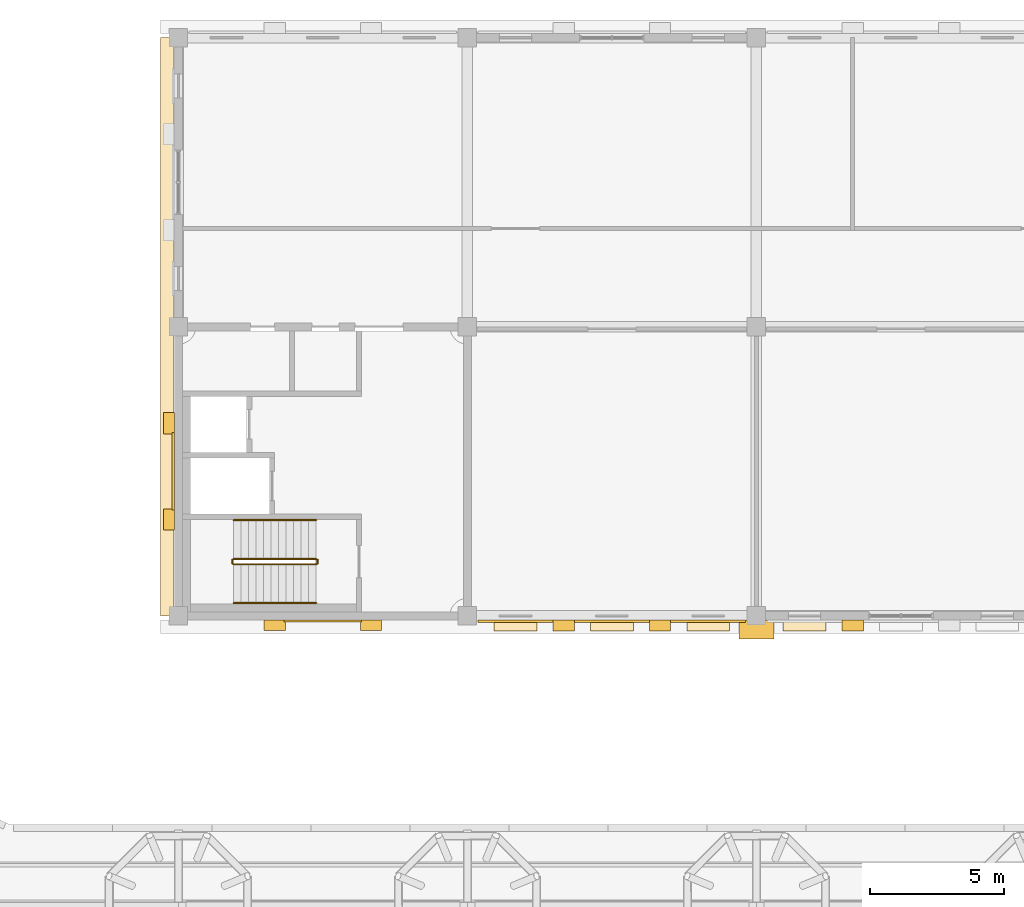
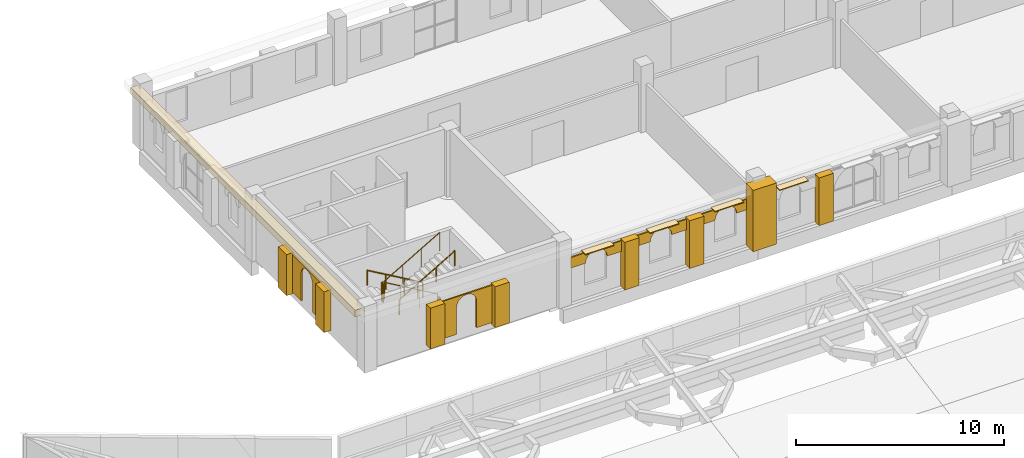
# One storey, part 29 of 32: 18 coverings, 6 railings.
"""IFC4 building model written with IfcOpenShell, lengths in metres."""

from ifc_helpers import new_model, si_unit, direction, frame, origin, origin_2d, place, context, subcontext, project, spatial, polyline, rectangle, circle, outline, extrude, material, layer, layer_set, type_object, element, save


model = new_model("IFC4")

# Units and contexts
model_context = context("Model", 3, precision=1e-05, world=origin(), true_north=direction((0.0, 1.0)))
body_context = subcontext(model_context, "Body", "Model", "MODEL_VIEW")
ifc_project = project(units=[si_unit("LENGTHUNIT", "METRE"), si_unit("AREAUNIT", "SQUARE_METRE"), si_unit("VOLUMEUNIT", "CUBIC_METRE"), si_unit("PLANEANGLEUNIT", "RADIAN"), si_unit("MASSUNIT", "GRAM", prefix="KILO")], contexts=[model_context])

# Site, building, storey
site_placement = place(None, origin())
site = spatial("IfcSite", under=ifc_project, at=site_placement, CompositionType="ELEMENT")
building_placement = place(site_placement, origin())
building = spatial("IfcBuilding", under=site, at=building_placement, Name="Magnolia Steps Interchange", CompositionType="ELEMENT")
storey_placement = place(building_placement, frame((0.0, 0.0, 16.5)))
storey = spatial("IfcBuildingStorey", under=building, at=storey_placement, Name="L04", CompositionType="ELEMENT", Elevation=16.5)

# Coverings
ifc_material_1 = material(Name="Lime render")
ifc_layer_1 = layer(ifc_material_1, 0.080078125)
ifc_layer_set_1 = layer_set([ifc_layer_1], Name="Lime render arch infill")
covering_type_1 = type_object("IfcCoveringType", Name="Lime render arch infill", PredefinedType="CLADDING", material=ifc_layer_set_1)
covering_1_placement = place(storey_placement, frame((75.199951171875, 96.237548828125, 2.080078125), z_axis=(0.0, 1.0, 0.0), x_axis=(0.0, 0.0, 1.0)))
element("IfcCovering", 1, at=covering_1_placement, inside=storey, type_object=covering_type_1, Name="Arched head over opening W00180", PredefinedType="CLADDING", context=body_context, shape_type="SweptSolid", body=[
    extrude(outline(polyline([(0.0, 0.0), (0.619873047, 0.0), (0.619873047, 2.800048828), (0.0, 2.800048828), (0.0, 2.0), (0.133300781, 1.985107422), (0.260253906, 1.940673828), (0.374023438, 1.869140625), (0.468994141, 1.774169922), (0.540527344, 1.660400391), (0.584960938, 1.533447266), (0.599853516, 1.400146484), (0.584960938, 1.266601562), (0.540527344, 1.139648438), (0.468994141, 1.025878906), (0.374023438, 0.930908203), (0.260253906, 0.859375), (0.133300781, 0.814941406), (0.0, 0.800048828), (0.0, 0.0)])), origin(), (0.0, 0.0, -1.0), 0.080078125),
])
covering_2_placement = place(storey_placement, frame((78.800048828125, 96.237548828125, 2.080078125), z_axis=(0.0, 1.0, 0.0), x_axis=(0.0, 0.0, 1.0)))
element("IfcCovering", 2, at=covering_2_placement, inside=storey, type_object=covering_type_1, Name="Arched head over opening W00540", PredefinedType="CLADDING", context=body_context, shape_type="SweptSolid", body=[
    extrude(outline(polyline([(0.0, 0.0), (0.619873047, 0.0), (0.619873047, 2.800048828), (0.0, 2.800048828), (0.0, 2.0), (0.133300781, 1.984863281), (0.260253906, 1.940429688), (0.374023438, 1.869140625), (0.468994141, 1.774169922), (0.540527344, 1.66015625), (0.584960938, 1.533447266), (0.599853516, 1.399902344), (0.584960938, 1.266357422), (0.540527344, 1.139648438), (0.468994141, 1.025878906), (0.374023438, 0.930908203), (0.260253906, 0.859375), (0.133300781, 0.814941406), (0.0, 0.800048828), (0.0, 0.0)])), origin(), (0.0, 0.0, -1.0), 0.080078125),
])
covering_3_placement = place(storey_placement, frame((82.39990234375, 96.237548828125, 2.080078125), z_axis=(0.0, 1.0, 0.0), x_axis=(0.0, 0.0, 1.0)))
element("IfcCovering", 3, at=covering_3_placement, inside=storey, type_object=covering_type_1, Name="Arched head over opening W00900", PredefinedType="CLADDING", context=body_context, shape_type="SweptSolid", body=[
    extrude(outline(polyline([(0.0, 0.0), (0.619873047, 0.0), (0.619873047, 2.800048828), (0.0, 2.800048828), (0.0, 2.0), (0.133300781, 1.985107422), (0.260253906, 1.940673828), (0.374023438, 1.869140625), (0.468994141, 1.774169922), (0.540527344, 1.660400391), (0.584960938, 1.533691406), (0.599853516, 1.400146484), (0.584960938, 1.266601562), (0.540527344, 1.139892578), (0.468994141, 1.025878906), (0.374023438, 0.930908203), (0.260253906, 0.859619141), (0.133300781, 0.815185547), (0.0, 0.800048828), (0.0, 0.0)])), origin(), (0.0, 0.0, -1.0), 0.080078125),
])
covering_4_placement = place(storey_placement, frame((67.949951171875, 96.25, 0.39990234375), z_axis=(0.0, 1.0, 0.0), x_axis=(0.0, 0.0, 1.0)))
element("IfcCovering", 4, at=covering_4_placement, inside=storey, type_object=covering_type_1, Name="Arched niche OC-W L04 S", PredefinedType="CLADDING", context=body_context, shape_type="SweptSolid", body=[
    extrude(outline(polyline([(0.0, 0.0), (2.200195312, 0.0), (2.200195312, 2.900146484), (0.0, 2.900146484), (0.0, 2.0), (1.600097656, 2.0), (1.742431641, 1.981445312), (1.875, 1.926269531), (1.989013672, 1.838867188), (2.076416016, 1.725097656), (2.131347656, 1.592529297), (2.150146484, 1.449951172), (2.131347656, 1.307617188), (2.076416016, 1.175048828), (1.989013672, 1.061035156), (1.875, 0.973632812), (1.742431641, 0.918701172), (1.600097656, 0.900146484), (0.0, 0.900146484), (0.0, 0.0)])), origin(), (0.0, 0.0, -1.0), 0.080078125),
])
covering_5_placement = place(storey_placement, frame((63.85009765625, 101.25, 0.39990234375), z_axis=(1.0, 0.0, 0.0), x_axis=(0.0, 0.0, 1.0)))
element("IfcCovering", 5, at=covering_5_placement, inside=storey, type_object=covering_type_1, Name="Arched niche OC-W L04 W", PredefinedType="CLADDING", context=body_context, shape_type="SweptSolid", body=[
    extrude(outline(polyline([(0.0, 0.0), (1.600097656, 0.0), (1.742431641, -0.018798828), (1.875, -0.073730469), (1.989013672, -0.161132812), (2.076416016, -0.274902344), (2.131347656, -0.407714844), (2.150146484, -0.550048828), (2.131347656, -0.692382812), (2.076416016, -0.824951172), (1.989013672, -0.938964844), (1.875, -1.026367188), (1.742431641, -1.081298828), (1.600097656, -1.100097656), (0.0, -1.100097656), (0.0, -2.0), (2.200195312, -2.0), (2.200195312, 0.899902344), (0.0, 0.899902344), (0.0, 0.0)])), origin(), (0.0, 0.0, -1.0), 0.080078125),
])
ifc_material_2 = material(Name="Lime render")
ifc_layer_2 = layer(ifc_material_2, 0.1201171875)
ifc_layer_set_2 = layer_set([ifc_layer_2], Name="Lime render band")
covering_type_2 = type_object("IfcCoveringType", Name="Lime render band", PredefinedType="CLADDING", material=ifc_layer_set_2)
covering_6_placement = place(storey_placement, frame((63.58740234375, 107.199951171875, 3.199951171875), z_axis=(0.0, 0.0, 1.0), x_axis=(1.0, 0.0, 0.0)))
element("IfcCovering", 6, at=covering_6_placement, inside=storey, type_object=covering_type_2, Name="String course L04 W", PredefinedType="CLADDING", context=body_context, shape_type="SweptSolid", body=[
    extrude(rectangle(XDim=0.5, YDim=21.60009765625, at=origin_2d()), origin(), (0.0, 0.0, 1.0), 0.39990234375),
])
ifc_material_3 = material(Name="Lime render")
ifc_layer_3 = layer(ifc_material_3, 0.39990234375)
ifc_layer_set_3 = layer_set([ifc_layer_3], Name="Lime render pilaster")
covering_type_3 = type_object("IfcCoveringType", Name="Lime render pilaster", PredefinedType="CLADDING", material=ifc_layer_set_3)
for number, where, z_axis, x_axis, name in (
    (7, (78.39990234375, 96.03759765625, 0.0), (0.0, 0.0, 1.0), (1.0, 0.0, 0.0), "Pilaster L04 S 1"),
    (8, (82.0, 96.03759765625, 0.0), (0.0, 0.0, 1.0), (1.0, 0.0, 0.0), "Pilaster L04 S 2"),
    (9, (89.199951171875, 96.03759765625, 0.0), (0.0, 0.0, 1.0), (1.0, 0.0, 0.0), "Pilaster L04 S 3"),
):
    element("IfcCovering", number, at=place(storey_placement, frame(where, z_axis=z_axis, x_axis=x_axis)), inside=storey, type_object=covering_type_3, Name=name, PredefinedType="CLADDING", context=body_context, shape_type="SweptSolid", body=[
        extrude(rectangle(XDim=0.800048828125, YDim=0.39990234375, at=origin_2d()), origin(), (0.0, 0.0, 1.0), 2.800048828125),
    ])
for number, where, z_axis, x_axis, name in (
    (10, (67.60009765625, 96.050048828125, 0.300048828125), (0.0, 0.0, 1.0), (1.0, 0.0, 0.0), "Core pilaster OC-W L04 S 1"),
    (11, (71.199951171875, 96.050048828125, 0.300048828125), (0.0, 0.0, 1.0), (1.0, 0.0, 0.0), "Core pilaster OC-W L04 S 2"),
):
    element("IfcCovering", number, at=place(storey_placement, frame(where, z_axis=z_axis, x_axis=x_axis)), inside=storey, type_object=covering_type_3, Name=name, PredefinedType="CLADDING", context=body_context, shape_type="SweptSolid", body=[
        extrude(rectangle(XDim=0.800048828125, YDim=0.39990234375, at=origin_2d()), origin(), (0.0, 0.0, 1.0), 2.39990234375),
    ])
for number, where, z_axis, x_axis, name in (
    (12, (63.64990234375, 100.0, 0.300048828125), (0.0, 0.0, 1.0), (1.0, 0.0, 0.0), "Core pilaster OC-W L04 W 1"),
    (13, (63.64990234375, 103.60009765625, 0.300048828125), (0.0, 0.0, 1.0), (1.0, 0.0, 0.0), "Core pilaster OC-W L04 W 2"),
):
    element("IfcCovering", number, at=place(storey_placement, frame(where, z_axis=z_axis, x_axis=x_axis)), inside=storey, type_object=covering_type_3, Name=name, PredefinedType="CLADDING", context=body_context, shape_type="SweptSolid", body=[
        extrude(rectangle(XDim=0.39990234375, YDim=0.800048828125, at=origin_2d()), origin(), (0.0, 0.0, 1.0), 2.39990234375),
    ])
covering_7_placement = place(storey_placement, frame((85.60009765625, 95.875, 0.0), z_axis=(0.0, 0.0, 1.0), x_axis=(1.0, 0.0, 0.0)))
element("IfcCovering", 14, at=covering_7_placement, inside=storey, type_object=covering_type_3, Name="Giant pilaster L04 1", PredefinedType="CLADDING", context=body_context, shape_type="SweptSolid", body=[
    extrude(rectangle(XDim=1.300048828125, YDim=0.699951171875, at=origin_2d()), origin(), (0.0, 0.0, 1.0), 3.60009765625),
])

# Railings
ifc_material_4 = material(Name="Stainless steel grade 304", Category="steel")
railing_type_1 = type_object("IfcRailingType", Name="Stair guard 1100", PredefinedType="GUARDRAIL", material=ifc_material_4)
railing_1_placement = place(storey_placement, frame((69.14990234375, 98.52392578125, 0.16259765625)))
element("IfcRailing", 15, at=railing_1_placement, inside=storey, type_object=railing_type_1, Name="L04 ST28 stair guard 1", PredefinedType="GUARDRAIL", context=body_context, shape_type="SweptSolid", body=[
    extrude(circle(Radius=0.02392578125, at=origin_2d()), frame((0.0, 0.0, 1.076171875), z_axis=(-0.864903211148, 0.0, 0.501938676878), x_axis=(0.0, -1.0, 0.0)), (0.0, 0.0, 1.0), 3.560791015625),
    extrude(circle(Radius=0.02099609375, at=origin_2d()), origin(), (0.0, 0.0, 1.0), 1.052001953125),
    extrude(circle(Radius=0.02099609375, at=origin_2d()), frame((-1.026611328125, 0.0, 0.595703125)), (0.0, 0.0, 1.0), 1.052001953125),
    extrude(circle(Radius=0.02099609375, at=origin_2d()), frame((-2.05322265625, 0.0, 1.191650390625)), (0.0, 0.0, 1.0), 1.052001953125),
    extrude(circle(Radius=0.02099609375, at=origin_2d()), frame((-3.079833984375, 0.0, 1.787353515625)), (0.0, 0.0, 1.0), 1.052001953125),
])
railing_2_placement = place(storey_placement, frame((66.02001953125, 98.5, 1.949951171875)))
element("IfcRailing", 16, at=railing_2_placement, inside=storey, type_object=railing_type_1, Name="L04 ST28 stair guard 2", PredefinedType="GUARDRAIL", context=body_context, shape_type="SweptSolid", body=[
    extrude(circle(Radius=0.02392578125, at=origin_2d()), frame((0.0, 0.0, 1.076171875), z_axis=(0.0, -1.0, 0.0), x_axis=(1.0, 0.0, 0.0)), (0.0, 0.0, 1.0), 0.14990234375),
    extrude(circle(Radius=0.02099609375, at=origin_2d()), origin(), (0.0, 0.0, 1.0), 1.052001953125),
    extrude(circle(Radius=0.02099609375, at=origin_2d()), frame((0.0, -0.14990234375, 0.0)), (0.0, 0.0, 1.0), 1.052001953125),
])
railing_3_placement = place(storey_placement, frame((66.070068359375, 98.325927734375, 2.112548828125)))
element("IfcRailing", 17, at=railing_3_placement, inside=storey, type_object=railing_type_1, Name="L04 ST28 stair guard 3", PredefinedType="GUARDRAIL", context=body_context, shape_type="SweptSolid", body=[
    extrude(circle(Radius=0.02392578125, at=origin_2d()), frame((0.0, 0.0, 1.076171875), z_axis=(0.864903211148, 0.0, 0.501938676878), x_axis=(0.0, 1.0, 0.0)), (0.0, 0.0, 1.0), 3.560791015625),
    extrude(circle(Radius=0.02099609375, at=origin_2d()), origin(), (0.0, 0.0, 1.0), 1.052001953125),
    extrude(circle(Radius=0.02099609375, at=origin_2d()), frame((1.026611328125, 0.0, 0.595703125)), (0.0, 0.0, 1.0), 1.052001953125),
    extrude(circle(Radius=0.02099609375, at=origin_2d()), frame((2.05322265625, 0.0, 1.191650390625)), (0.0, 0.0, 1.0), 1.052001953125),
    extrude(circle(Radius=0.02099609375, at=origin_2d()), frame((3.079833984375, 0.0, 1.787353515625)), (0.0, 0.0, 1.0), 1.052001953125),
])
railing_4_placement = place(storey_placement, frame((69.199951171875, 98.5, 0.0)))
element("IfcRailing", 18, at=railing_4_placement, inside=storey, type_object=railing_type_1, Name="L04 ST28 stair guard 4", PredefinedType="GUARDRAIL", context=body_context, shape_type="SweptSolid", body=[
    extrude(circle(Radius=0.02392578125, at=origin_2d()), frame((0.0, 0.0, 1.076171875), z_axis=(0.0, -1.0, 0.0), x_axis=(1.0, 0.0, 0.0)), (0.0, 0.0, 1.0), 0.14990234375),
    extrude(circle(Radius=0.02099609375, at=origin_2d()), origin(), (0.0, 0.0, 1.0), 1.052001953125),
    extrude(circle(Radius=0.02099609375, at=origin_2d()), frame((0.0, -0.14990234375, 0.0)), (0.0, 0.0, 1.0), 1.052001953125),
])
ifc_material_5 = material(Name="Stainless steel grade 304", Category="steel")
railing_type_2 = type_object("IfcRailingType", Name="Stair handrail 900", PredefinedType="HANDRAIL", material=ifc_material_5)
railing_5_placement = place(storey_placement, frame((69.14990234375, 99.97607421875, 0.16259765625)))
element("IfcRailing", 19, at=railing_5_placement, inside=storey, type_object=railing_type_2, Name="L04 ST28 stair handrail 1", PredefinedType="HANDRAIL", context=body_context, shape_type="SweptSolid", body=[
    extrude(circle(Radius=0.02392578125, at=origin_2d()), frame((0.0, 0.0, 0.8759765625), z_axis=(-0.864903211148, 0.0, 0.501938676878), x_axis=(0.0, -1.0, 0.0)), (0.0, 0.0, 1.0), 3.560791015625),
    extrude(circle(Radius=0.02099609375, at=origin_2d()), origin(), (0.0, 0.0, 1.0), 0.851806640625),
    extrude(circle(Radius=0.02099609375, at=origin_2d()), frame((-1.026611328125, 0.0, 0.595703125)), (0.0, 0.0, 1.0), 0.851806640625),
    extrude(circle(Radius=0.02099609375, at=origin_2d()), frame((-2.05322265625, 0.0, 1.191650390625)), (0.0, 0.0, 1.0), 0.851806640625),
    extrude(circle(Radius=0.02099609375, at=origin_2d()), frame((-3.079833984375, 0.0, 1.787353515625)), (0.0, 0.0, 1.0), 0.851806640625),
])
railing_6_placement = place(storey_placement, frame((66.070068359375, 96.8740234375, 2.112548828125)))
element("IfcRailing", 20, at=railing_6_placement, inside=storey, type_object=railing_type_2, Name="L04 ST28 stair handrail 2", PredefinedType="HANDRAIL", context=body_context, shape_type="SweptSolid", body=[
    extrude(circle(Radius=0.02392578125, at=origin_2d()), frame((0.0, 0.0, 0.8759765625), z_axis=(0.864903211148, 0.0, 0.501938676878), x_axis=(0.0, 1.0, 0.0)), (0.0, 0.0, 1.0), 3.560791015625),
    extrude(circle(Radius=0.02099609375, at=origin_2d()), origin(), (0.0, 0.0, 1.0), 0.851806640625),
    extrude(circle(Radius=0.02099609375, at=origin_2d()), frame((1.026611328125, 0.0, 0.595703125)), (0.0, 0.0, 1.0), 0.851806640625),
    extrude(circle(Radius=0.02099609375, at=origin_2d()), frame((2.05322265625, 0.0, 1.191650390625)), (0.0, 0.0, 1.0), 0.851806640625),
    extrude(circle(Radius=0.02099609375, at=origin_2d()), frame((3.079833984375, 0.0, 1.787353515625)), (0.0, 0.0, 1.0), 0.851806640625),
])

# Coverings
ifc_material_6 = material(Name="Timber", Category="wood")
ifc_layer_4 = layer(ifc_material_6, 0.050048828125)
ifc_layer_set_4 = layer_set([ifc_layer_4], Name="Timber sunshade louvre")
covering_type_4 = type_object("IfcCoveringType", Name="Timber sunshade louvre", PredefinedType="CLADDING", material=ifc_layer_set_4)
for number, where, z_axis, x_axis, name in (
    (21, (76.60009765625, 96.02490234375, 2.8251953125), (0.0, 0.0, 1.0), (1.0, 0.0, 0.0), "Sunshade louvre L04 1"),
    (22, (80.199951171875, 96.02490234375, 2.8251953125), (0.0, 0.0, 1.0), (1.0, 0.0, 0.0), "Sunshade louvre L04 2"),
    (23, (83.800048828125, 96.02490234375, 2.8251953125), (0.0, 0.0, 1.0), (1.0, 0.0, 0.0), "Sunshade louvre L04 3"),
    (24, (87.39990234375, 96.02490234375, 2.8251953125), (0.0, 0.0, 1.0), (1.0, 0.0, 0.0), "Sunshade louvre L04 4"),
):
    element("IfcCovering", number, at=place(storey_placement, frame(where, z_axis=z_axis, x_axis=x_axis)), inside=storey, type_object=covering_type_4, Name=name, PredefinedType="CLADDING", context=body_context, shape_type="SweptSolid", body=[
        extrude(rectangle(XDim=1.60009765625, YDim=0.39990234375, at=origin_2d()), origin(), (0.0, 0.0, 1.0), 0.050048828125),
    ])

save(model, "model.ifc")
